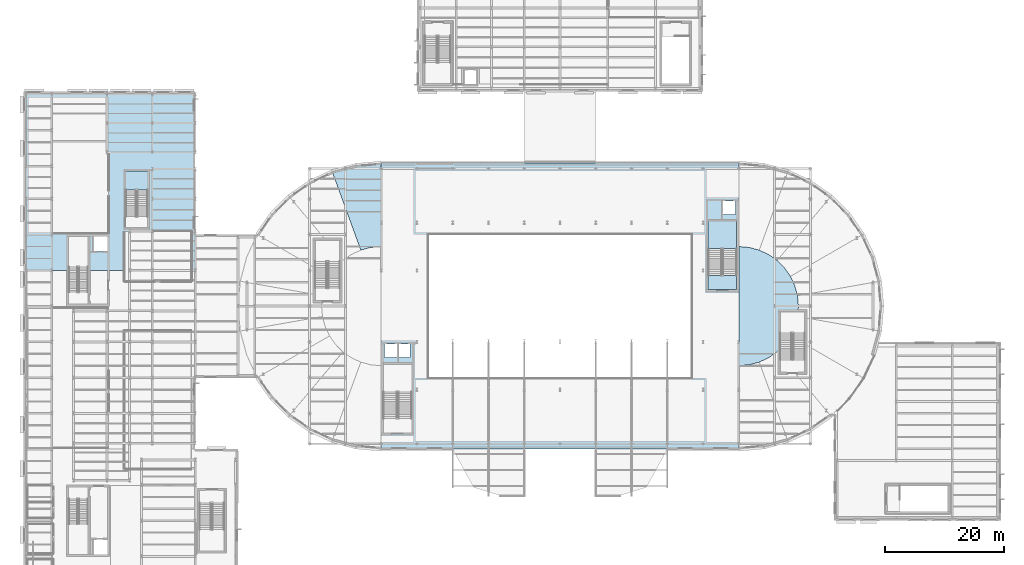
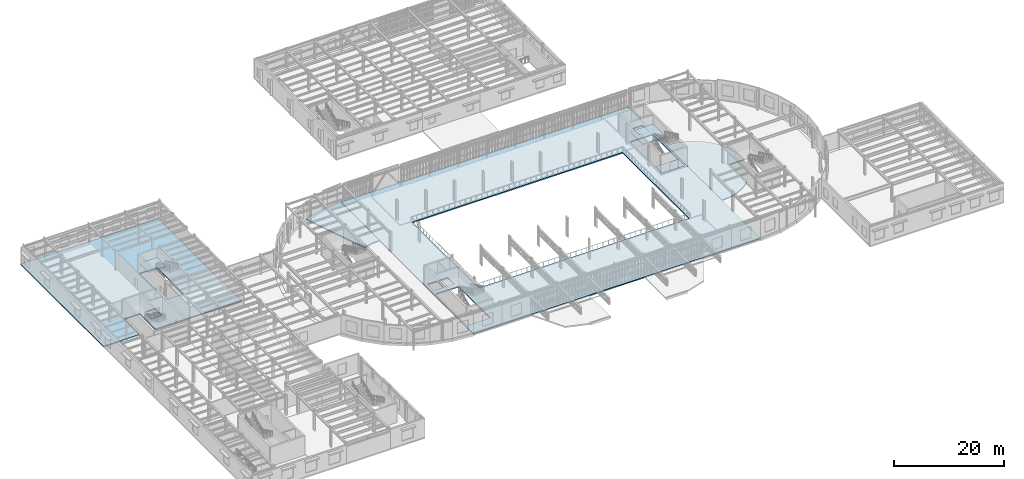
# One storey, part 52 of 91: 7 slabs, 2 elements without a shape of their own.
"""IFC4 building model written with IfcOpenShell, lengths in metres."""

from ifc_helpers import new_model, si_unit, direction, frame, origin, place, context, subcontext, project, spatial, polyline, outline, extrude, material, layer, layer_set, type_object, element, aggregate, save


model = new_model("IFC4")

# Units and contexts
model_context = context("Model", 3, precision=1e-05, world=origin(), true_north=direction((0.0, 1.0)))
body_context = subcontext(model_context, "Body", "Model", "MODEL_VIEW")
ifc_project = project(units=[si_unit("LENGTHUNIT", "METRE"), si_unit("AREAUNIT", "SQUARE_METRE"), si_unit("VOLUMEUNIT", "CUBIC_METRE"), si_unit("PLANEANGLEUNIT", "RADIAN"), si_unit("MASSUNIT", "GRAM", prefix="KILO")], contexts=[model_context])

# Site, building, storey
site_placement = place(None, origin())
site = spatial("IfcSite", under=ifc_project, at=site_placement, CompositionType="ELEMENT")
building_placement = place(site_placement, origin())
building = spatial("IfcBuilding", under=site, at=building_placement, Name="Kolvaren Corner Interchange", CompositionType="ELEMENT")
storey_placement = place(building_placement, frame((0.0, 0.0, 6.0)))
storey = spatial("IfcBuildingStorey", under=building, at=storey_placement, Name="L02", CompositionType="ELEMENT", Elevation=6.0)

# Slabs
ifc_material_1 = material(Name="Concrete C35/45", Category="concrete")
ifc_layer_1 = layer(ifc_material_1, 0.25)
ifc_layer_set_1 = layer_set([ifc_layer_1], Name="Concrete C35/45")
slab_type_1 = type_object("IfcSlabType", Name="SL-COMP-250", PredefinedType="FLOOR", material=ifc_layer_set_1)
slab_1_placement = place(storey_placement, frame((0.0, 0.0, -0.25)))
element("IfcSlab", 1, at=slab_1_placement, inside=storey, type_object=slab_type_1, Name="Level 02 Operations North West Floor Slab", PredefinedType="FLOOR", context=body_context, shape_type="SweptSolid", body=[
    extrude(outline(polyline([(28.800048828125, 84.0), (0.0, 84.0), (0.0, 54.0), (7.550048828125, 54.0), (7.550048828125, 59.64990234375), (10.85009765625, 59.64990234375), (10.85009765625, 54.0), (28.800048828125, 54.0), (28.800048828125, 84.0)]), holes=[polyline([(20.85009765625, 61.10009765625), (17.14990234375, 61.10009765625), (17.14990234375, 70.699951171875), (20.85009765625, 70.699951171875), (20.85009765625, 61.10009765625)]), polyline([(11.800048828125, 59.64990234375), (14.050048828125, 59.64990234375), (14.050048828125, 57.14990234375), (11.800048828125, 57.14990234375), (11.800048828125, 59.64990234375)])]), origin(), (0.0, 0.0, 1.0), 0.25),
])
slab_2_placement = place(storey_placement, frame((0.0, 0.0, -0.25)))
element("IfcSlab", 2, at=slab_2_placement, inside=storey, type_object=slab_type_1, Name="Level 02 Concourse Waiting Gallery Spine Slab", PredefinedType="FLOOR", context=body_context, shape_type="SweptSolid", body=[
    extrude(outline(polyline([(120.0, 72.0), (60.0, 72.0), (60.0, 24.0), (120.0, 24.0), (120.0, 72.0)]), holes=[polyline([(65.14990234375, 26.75), (60.35009765625, 26.75), (60.35009765625, 38.25), (65.14990234375, 38.25), (65.14990234375, 26.75)]), polyline([(114.85009765625, 50.75), (114.85009765625, 62.25), (119.64990234375, 62.25), (119.64990234375, 50.75), (114.85009765625, 50.75)]), polyline([(62.64990234375, 41.64990234375), (62.64990234375, 39.35009765625), (60.550048828125, 39.35009765625), (60.550048828125, 41.64990234375), (62.64990234375, 41.64990234375)]), polyline([(64.85009765625, 39.35009765625), (62.949951171875, 39.35009765625), (62.949951171875, 41.64990234375), (64.85009765625, 41.64990234375), (64.85009765625, 39.35009765625)]), polyline([(117.35009765625, 63.35009765625), (117.35009765625, 65.64990234375), (119.449951171875, 65.64990234375), (119.449951171875, 63.35009765625), (117.35009765625, 63.35009765625)]), polyline([(112.0, 60.0), (112.0, 36.0), (68.0, 36.0), (68.0, 60.0), (112.0, 60.0)])]), origin(), (0.0, 0.0, 1.0), 0.25),
])
slab_3_placement = place(storey_placement, frame((0.0, 0.0, -0.25)))
element("IfcSlab", 3, at=slab_3_placement, inside=storey, type_object=slab_type_1, Name="Level 02 Racetrack West Gallery Radial Slab 01", PredefinedType="FLOOR", context=body_context, shape_type="SweptSolid", body=[
    extrude(outline(polyline([(60.0, 58.0), (60.0, 72.0), (55.83251953125, 71.635498046875), (51.79150390625, 70.552490234375), (56.579833984375, 57.39697265625), (58.263427734375, 57.84814453125), (60.0, 58.0)])), origin(), (0.0, 0.0, 1.0), 0.25),
])
slab_4_placement = place(storey_placement, frame((0.0, 0.0, -0.25)))
element("IfcSlab", 4, at=slab_4_placement, inside=storey, type_object=slab_type_1, Name="Level 02 Racetrack East Inner Gallery Slab", PredefinedType="FLOOR", context=body_context, shape_type="SweptSolid", body=[
    extrude(outline(polyline([(120.0, 38.0), (121.736572265625, 38.15185546875), (123.420166015625, 38.60302734375), (125.0, 39.339599609375), (126.427978515625, 40.339599609375), (126.89990234375, 40.811767578125), (126.89990234375, 47.10009765625), (129.92138671875, 47.10009765625), (130.0, 48.0), (129.84814453125, 49.736572265625), (129.39697265625, 51.420166015625), (128.660400390625, 53.0), (127.660400390625, 54.427978515625), (126.427978515625, 55.660400390625), (125.0, 56.660400390625), (123.420166015625, 57.39697265625), (121.736572265625, 57.84814453125), (120.0, 58.0), (120.0, 38.0)])), origin(), (0.0, 0.0, 1.0), 0.25),
])
ifc_material_2 = material(Name="Concrete C35/45", Category="concrete")
ifc_layer_2 = layer(ifc_material_2, 0.199951171875)
ifc_layer_set_2 = layer_set([ifc_layer_2], Name="Concrete C35/45")
slab_type_2 = type_object("IfcSlabType", Name="SL-STAIR-LAND200", PredefinedType="LANDING", material=ifc_layer_set_2)
slab_5_placement = place(storey_placement, frame((0.0, 0.0, -0.199951171875)))
element("IfcSlab", 5, at=slab_5_placement, inside=storey, type_object=slab_type_2, Name="Core C4 East Concourse Transfer Stair L02 Floor Arrival Landing Slab", PredefinedType="LANDING", context=body_context, shape_type="SweptSolid", body=[
    extrude(outline(polyline([(119.64990234375, 50.75), (119.64990234375, 53.14990234375), (114.85009765625, 53.14990234375), (114.85009765625, 50.75), (119.64990234375, 50.75)])), origin(), (0.0, 0.0, 1.0), 0.199951171875),
])

# Stair, slab
ifc_material_3 = material(Name="Concrete C35/45", Category="concrete")
stair_type_1 = type_object("IfcStairType", Name="ST-TR-2300", PredefinedType="HALF_TURN_STAIR", material=ifc_material_3)
stair_1_placement = place(storey_placement, origin())
stair_1 = element("IfcStair", 6, at=stair_1_placement, inside=storey, type_object=stair_type_1, Name="Core C4 East Concourse Transfer Stair L02 to L03 Stair", PredefinedType="HALF_TURN_STAIR")
slab_6_placement = place(storey_placement, frame((0.0, 0.0, 2.050048828125)))
slab_6 = element("IfcSlab", 7, at=slab_6_placement, type_object=slab_type_2, Name="Core C4 East Concourse Transfer Stair L02 Intermediate Half Landing Slab", PredefinedType="LANDING", context=body_context, shape_type="SweptSolid", body=[
    extrude(outline(polyline([(119.64990234375, 57.6298828125), (119.64990234375, 62.25), (114.85009765625, 62.25), (114.85009765625, 57.6298828125), (119.64990234375, 57.6298828125)])), origin(), (0.0, 0.0, 1.0), 0.199951171875),
])
aggregate(stair_1, [slab_6])

ifc_material_4 = material(Name="Concrete C35/45", Category="concrete")
stair_type_2 = type_object("IfcStairType", Name="ST-OP-1750", PredefinedType="HALF_TURN_STAIR", material=ifc_material_4)
stair_2_placement = place(storey_placement, origin())
stair_2 = element("IfcStair", 8, at=stair_2_placement, inside=storey, type_object=stair_type_2, Name="Operations North Wing Protected Exit Stair L02 to L03 Stair", PredefinedType="HALF_TURN_STAIR")
slab_7_placement = place(storey_placement, frame((0.0, 0.0, 2.050048828125)))
slab_7 = element("IfcSlab", 9, at=slab_7_placement, type_object=slab_type_2, Name="Operations North Wing Protected Exit Stair L02 Intermediate Half Landing Slab", PredefinedType="LANDING", context=body_context, shape_type="SweptSolid", body=[
    extrude(outline(polyline([(20.85009765625, 67.47998046875), (20.85009765625, 70.699951171875), (17.14990234375, 70.699951171875), (17.14990234375, 67.47998046875), (20.85009765625, 67.47998046875)])), origin(), (0.0, 0.0, 1.0), 0.199951171875),
])
aggregate(stair_2, [slab_7])

save(model, "model.ifc")
